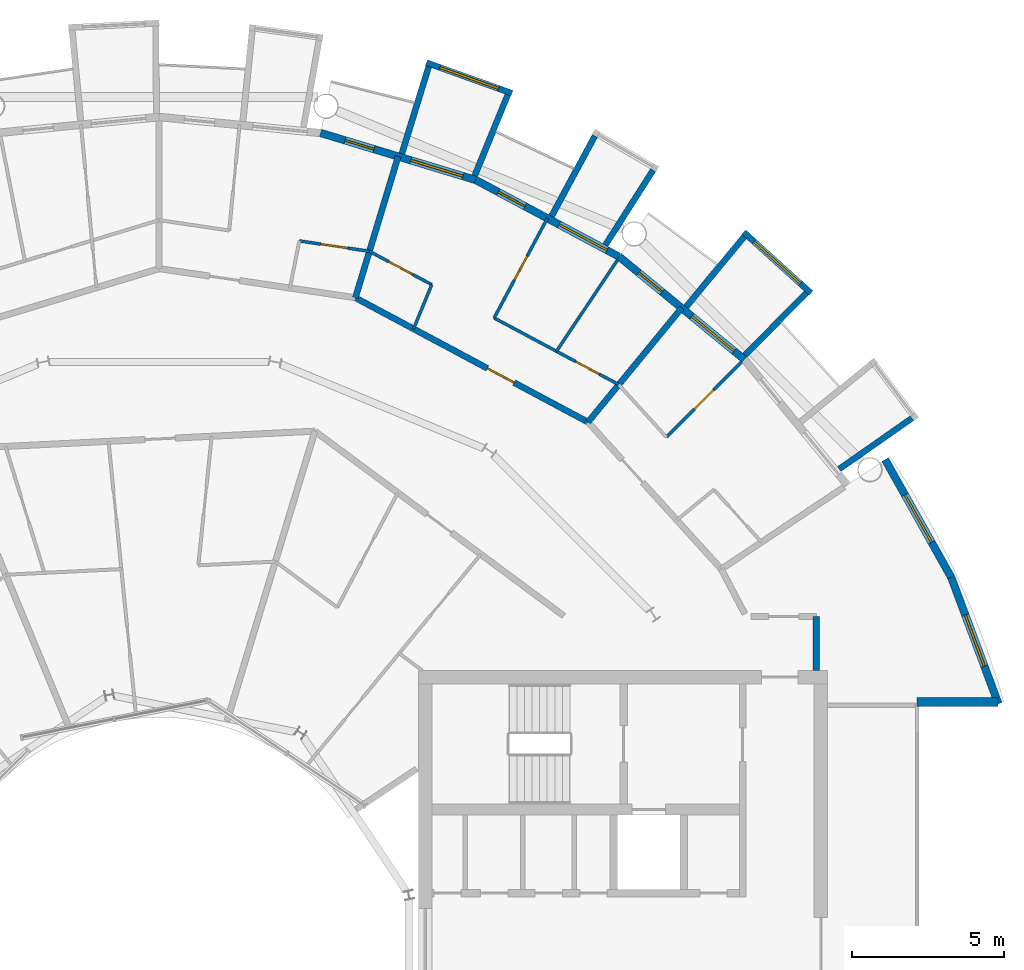
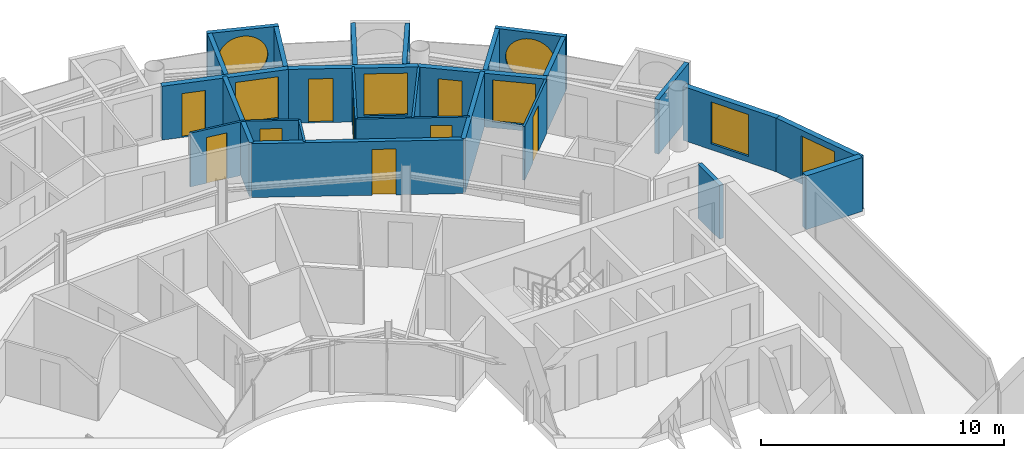
# One storey, part 24 of 29: 26 walls, 9 doors, 7 windows, 16 openings.
"""IFC4 building model written with IfcOpenShell, lengths in metres."""

from ifc_helpers import new_model, si_unit, direction, frame, frame_2d, origin, place, context, subcontext, project, spatial, rectangle, circle, extrude, material, layer, layer_set, type_object, element, fill, save


model = new_model("IFC4")

# Units and contexts
model_context = context("Model", 3, precision=1e-05, world=origin(), true_north=direction((0.0, 1.0)))
body_context = subcontext(model_context, "Body", "Model", "MODEL_VIEW")
ifc_project = project(units=[si_unit("LENGTHUNIT", "METRE"), si_unit("AREAUNIT", "SQUARE_METRE"), si_unit("VOLUMEUNIT", "CUBIC_METRE"), si_unit("PLANEANGLEUNIT", "RADIAN"), si_unit("MASSUNIT", "GRAM", prefix="KILO")], contexts=[model_context])

# Site, building, storey
site_placement = place(None, origin())
site = spatial("IfcSite", under=ifc_project, at=site_placement, CompositionType="ELEMENT")
building_placement = place(site_placement, origin())
building = spatial("IfcBuilding", under=site, at=building_placement, Name="Maasbend Ring Residences", CompositionType="ELEMENT")
storey_placement = place(building_placement, frame((0.0, 0.0, 205.449951171875)))
storey = spatial("IfcBuildingStorey", under=building, at=storey_placement, Name="L59", CompositionType="ELEMENT", Elevation=205.449951171875)

# Wall
ifc_material_1 = material(Name="Concrete C30/37", Category="concrete")
ifc_layer_1 = layer(ifc_material_1, 0.199951171875)
ifc_layer_set_1 = layer_set([ifc_layer_1], Name="Concrete C30/37")
wall_type_1 = type_object("IfcWallType", Name="CORRIDOR WALL 200 CONCRETE", PredefinedType="PARTITIONING", material=ifc_layer_set_1)
wall_1_placement = place(storey_placement, frame((21.675048828125, 9.050048828125, 0.0), z_axis=(0.0, 0.0, 1.0), x_axis=(0.0, 1.0, 0.0)))
element("IfcWall", 1, at=wall_1_placement, inside=storey, type_object=wall_type_1, Name="U-L59-w013", PredefinedType="PARTITIONING", context=body_context, shape_type="SweptSolid", body=[
    extrude(rectangle(XDim=1.77490234375, YDim=0.199951171875, at=frame_2d((0.887451171875, 0.0))), origin(), (0.0, 0.0, 1.0), 2.699951171875),
])

# Wall, opening, door
wall_2_placement = place(storey_placement, frame((6.472900390625, 21.340087890625, 0.0), z_axis=(0.0, 0.0, 1.0), x_axis=(0.881869539497, -0.471493494448, 0.0)))
wall_2 = element("IfcWall", 2, at=wall_2_placement, inside=storey, type_object=wall_type_1, Name="U-L59-w108", PredefinedType="PARTITIONING", context=body_context, shape_type="SweptSolid", body=[
    extrude(rectangle(XDim=8.704345703125, YDim=0.199951171875, at=frame_2d((4.35205078125, 0.0))), origin(), (0.0, 0.0, 1.0), 2.699951171875),
])
opening_1_placement = place(wall_2_placement, frame((4.93896484375, 0.0, 0.0)))
opening_1 = element("IfcOpeningElement", 3, at=opening_1_placement, cuts=wall_2, Name="Opening D-5904", PredefinedType="OPENING", context=body_context, shape_type="SweptSolid", body=[
    extrude(rectangle(XDim=1.0, YDim=2.300048828125, at=frame_2d((0.5, 1.14990234375))), frame((0.0, 0.10986328125, 0.0), z_axis=(0.0, -1.0, 0.0), x_axis=(1.0, 0.0, 0.0)), (0.0, 0.0, 1.0), 0.219970703125),
])
ifc_material_2 = material(Name="Timber, fire-rated, painted", Category="wood")
door_type_1 = type_object("IfcDoorType", Name="FLAT ENTRANCE DOOR 1000 X 2300 FIRE-RATED", OperationType="NOTDEFINED", PredefinedType="DOOR", material=ifc_material_2)
door_1_placement = place(opening_1_placement, origin())
door_1 = element("IfcDoor", 4, at=door_1_placement, inside=storey, type_object=door_type_1, Name="D-5904", OperationType="SINGLE_SWING_RIGHT", OverallHeight=2.300048828125, OverallWidth=1.0, PredefinedType="DOOR", context=body_context, shape_type="SweptSolid", body=[
    extrude(rectangle(XDim=1.0, YDim=2.300048828125, at=frame_2d((0.5, 1.14990234375))), frame((0.0, 0.02490234375, 0.0), z_axis=(0.0, -1.0, 0.0), x_axis=(1.0, 0.0, 0.0)), (0.0, 0.0, 1.0), 0.050048828125),
])
fill(opening_1, door_1)

# Wall
ifc_material_3 = material(Name="Pale anodised aluminium panel", Category="aluminium")
ifc_layer_2 = layer(ifc_material_3, 0.199951171875)
ifc_layer_set_2 = layer_set([ifc_layer_2], Name="EW-BOX")
wall_type_2 = type_object("IfcWallType", Name="EW-BOX", PredefinedType="SOLIDWALL", material=ifc_layer_set_2)
wall_3_placement = place(storey_placement, frame((22.43310546875, 15.68798828125, -0.030029296875), z_axis=(0.0, 0.0, 1.0), x_axis=(0.819373043115, 0.573260687834, 0.0)))
element("IfcWall", 5, at=wall_3_placement, inside=storey, type_object=wall_type_2, Name="Box side wall N01 left", PredefinedType="SOLIDWALL", context=body_context, shape_type="SweptSolid", body=[
    extrude(rectangle(XDim=2.92529296875, YDim=0.199951171875, at=frame_2d((1.462646484375, 0.0))), origin(), (0.0, 0.0, 1.0), 2.72998046875),
])

# Wall, opening, window
wall_4_placement = place(storey_placement, frame((21.5, 21.492919921875, -0.030029296875), z_axis=(0.0, 0.0, 1.0), x_axis=(-0.740998365753, 0.671506829416, 0.0)))
wall_4 = element("IfcWall", 6, at=wall_4_placement, inside=storey, type_object=wall_type_2, Name="Box front N03", PredefinedType="SOLIDWALL", context=body_context, shape_type="SweptSolid", body=[
    extrude(rectangle(XDim=2.9931640625, YDim=0.199951171875, at=frame_2d((1.49658203125, 0.0))), origin(), (0.0, 0.0, 1.0), 2.72998046875),
])
opening_2_placement = place(wall_4_placement, frame((0.45654296875, 0.0, 0.330078125)))
opening_2 = element("IfcOpeningElement", 7, at=opening_2_placement, cuts=wall_4, Name="Opening W-RD", PredefinedType="OPENING", context=body_context, shape_type="SweptSolid", body=[
    extrude(circle(Radius=1.0400390625, at=frame_2d((1.0400390625, 1.0400390625))), frame((0.0, 0.10986328125, 0.0), z_axis=(0.0, -1.0, 0.0), x_axis=(1.0, 0.0, 0.0)), (0.0, 0.0, 1.0), 0.219970703125),
])
ifc_material_4 = material(Name="Aluminium and clear glass", Category="aluminium")
window_type_1 = type_object("IfcWindowType", Name="W-RD", PartitioningType="SINGLE_PANEL", PredefinedType="WINDOW", material=ifc_material_4)
window_1_placement = place(opening_2_placement, origin())
window_1 = element("IfcWindow", 8, at=window_1_placement, inside=storey, type_object=window_type_1, Name="Round window N03", OverallHeight=2.080078125, OverallWidth=2.080078125, PartitioningType="SINGLE_PANEL", PredefinedType="WINDOW", context=body_context, shape_type="SweptSolid", body=[
    extrude(circle(Radius=1.0400390625, at=frame_2d((1.0400390625, 1.0400390625))), frame((0.0, 0.030029296875, 0.0), z_axis=(0.0, -1.0, 0.0), x_axis=(1.0, 0.0, 0.0)), (0.0, 0.0, 1.0), 0.06005859375),
])
fill(opening_2, window_1)

# Walls
wall_5_placement = place(storey_placement, frame((19.322998046875, 19.449951171875, -0.030029296875), z_axis=(0.0, 0.0, 1.0), x_axis=(0.704476739375, 0.709727076896, 0.0)))
element("IfcWall", 9, at=wall_5_placement, inside=storey, type_object=wall_type_2, Name="Box side wall N03 left", PredefinedType="SOLIDWALL", context=body_context, shape_type="SweptSolid", body=[
    extrude(rectangle(XDim=2.883056640625, YDim=0.199951171875, at=frame_2d((1.44140625, 0.0))), origin(), (0.0, 0.0, 1.0), 2.72998046875),
])
wall_6_placement = place(storey_placement, frame((17.384033203125, 21.041015625, -0.030029296875), z_axis=(0.0, 0.0, 1.0), x_axis=(0.63709551667, 0.770784861449, 0.0)))
element("IfcWall", 10, at=wall_6_placement, inside=storey, type_object=wall_type_2, Name="Box side wall N03 right", PredefinedType="SOLIDWALL", context=body_context, shape_type="SweptSolid", body=[
    extrude(rectangle(XDim=3.005859375, YDim=0.199951171875, at=frame_2d((1.5029296875, 0.0))), origin(), (0.0, 0.0, 1.0), 2.72998046875),
])
wall_7_placement = place(storey_placement, frame((14.721923828125, 23.0791015625, -0.030029296875), z_axis=(0.0, 0.0, 1.0), x_axis=(0.537572179146, 0.843217737129, 0.0)))
element("IfcWall", 11, at=wall_7_placement, inside=storey, type_object=wall_type_2, Name="Box side wall N05 left", PredefinedType="SOLIDWALL", context=body_context, shape_type="SweptSolid", body=[
    extrude(rectangle(XDim=2.92431640625, YDim=0.199951171875, at=frame_2d((1.462158203125, 0.0))), origin(), (0.0, 0.0, 1.0), 2.72998046875),
])
wall_8_placement = place(storey_placement, frame((12.945068359375, 24.029052734375, -0.030029296875), z_axis=(0.0, 0.0, 1.0), x_axis=(0.474424310775, 0.88029629861, 0.0)))
element("IfcWall", 12, at=wall_8_placement, inside=storey, type_object=wall_type_2, Name="Box side wall N05 right", PredefinedType="SOLIDWALL", context=body_context, shape_type="SweptSolid", body=[
    extrude(rectangle(XDim=3.005859375, YDim=0.199951171875, at=frame_2d((1.5029296875, 0.0))), origin(), (0.0, 0.0, 1.0), 2.72998046875),
])

# Wall, opening, window
wall_9_placement = place(storey_placement, frame((11.637939453125, 28.083984375, -0.030029296875), z_axis=(0.0, 0.0, 1.0), x_axis=(-0.941461077774, 0.337121697664, 0.0)))
wall_9 = element("IfcWall", 13, at=wall_9_placement, inside=storey, type_object=wall_type_2, Name="Box front N07", PredefinedType="SOLIDWALL", context=body_context, shape_type="SweptSolid", body=[
    extrude(rectangle(XDim=2.9931640625, YDim=0.199951171875, at=frame_2d((1.49658203125, 0.0))), origin(), (0.0, 0.0, 1.0), 2.72998046875),
])
opening_3_placement = place(wall_9_placement, frame((0.45654296875, 0.0, 0.330078125)))
opening_3 = element("IfcOpeningElement", 14, at=opening_3_placement, cuts=wall_9, Name="Opening W-RD", PredefinedType="OPENING", context=body_context, shape_type="SweptSolid", body=[
    extrude(circle(Radius=1.0400390625, at=frame_2d((1.0400390625, 1.0400390625))), frame((0.0, 0.10986328125, 0.0), z_axis=(0.0, -1.0, 0.0), x_axis=(1.0, 0.0, 0.0)), (0.0, 0.0, 1.0), 0.219970703125),
])
window_2_placement = place(opening_3_placement, origin())
window_2 = element("IfcWindow", 15, at=window_2_placement, inside=storey, type_object=window_type_1, Name="Round window N07", OverallHeight=2.080078125, OverallWidth=2.080078125, PartitioningType="SINGLE_PANEL", PredefinedType="WINDOW", context=body_context, shape_type="SweptSolid", body=[
    extrude(circle(Radius=1.0400390625, at=frame_2d((1.0400390625, 1.0400390625))), frame((0.0, 0.030029296875, 0.0), z_axis=(0.0, -1.0, 0.0), x_axis=(1.0, 0.0, 0.0)), (0.0, 0.0, 1.0), 0.06005859375),
])
fill(opening_3, window_2)

# Walls
wall_10_placement = place(storey_placement, frame((10.408935546875, 25.364013671875, -0.030029296875), z_axis=(0.0, 0.0, 1.0), x_axis=(0.379509886562, 0.925187681501, 0.0)))
element("IfcWall", 16, at=wall_10_placement, inside=storey, type_object=wall_type_2, Name="Box side wall N07 left", PredefinedType="SOLIDWALL", context=body_context, shape_type="SweptSolid", body=[
    extrude(rectangle(XDim=2.882568359375, YDim=0.199951171875, at=frame_2d((1.44140625, 0.0))), origin(), (0.0, 0.0, 1.0), 2.72998046875),
])
wall_11_placement = place(storey_placement, frame((8.009033203125, 26.092041015625, -0.030029296875), z_axis=(0.0, 0.0, 1.0), x_axis=(0.293406695073, 0.955987715029, 0.0)))
element("IfcWall", 17, at=wall_11_placement, inside=storey, type_object=wall_type_2, Name="Box side wall N07 right", PredefinedType="SOLIDWALL", context=body_context, shape_type="SweptSolid", body=[
    extrude(rectangle(XDim=3.00634765625, YDim=0.199951171875, at=frame_2d((1.503173828125, 0.0))), origin(), (0.0, 0.0, 1.0), 2.72998046875),
])

# Wall, openings, door, window
ifc_material_5 = material(Name="Aluminium clad insulated panel", Category="aluminium")
ifc_layer_3 = layer(ifc_material_5, 0.25)
ifc_layer_set_3 = layer_set([ifc_layer_3], Name="EW-GL")
wall_type_3 = type_object("IfcWallType", Name="EW-GL", PredefinedType="SOLIDWALL", material=ifc_layer_set_3)
wall_12_placement = place(storey_placement, frame((19.303955078125, 19.303955078125, 0.0), z_axis=(0.0, 0.0, 1.0), x_axis=(-0.773019449054, 0.634382322723, 0.0)))
wall_12 = element("IfcWall", 18, at=wall_12_placement, inside=storey, type_object=wall_type_3, Name="External wall N02", PredefinedType="SOLIDWALL", context=body_context, shape_type="SweptSolid", body=[
    extrude(rectangle(XDim=5.351806640625, YDim=0.25, at=frame_2d((2.67578125, 0.0))), origin(), (0.0, 0.0, 1.0), 2.699951171875),
])
opening_4_placement = place(wall_12_placement, frame((0.441162109375, 0.0, 0.300048828125)))
opening_4 = element("IfcOpeningElement", 19, at=opening_4_placement, cuts=wall_12, Name="Opening W-BX", PredefinedType="OPENING", context=body_context, shape_type="SweptSolid", body=[
    extrude(rectangle(XDim=1.800048828125, YDim=2.10009765625, at=frame_2d((0.89990234375, 1.050048828125))), frame((0.0, 0.135009765625, 0.0), z_axis=(0.0, -1.0, 0.0), x_axis=(1.0, 0.0, 0.0)), (0.0, 0.0, 1.0), 0.27001953125),
])
opening_5_placement = place(wall_12_placement, frame((3.510498046875, 0.0, 0.0)))
opening_5 = element("IfcOpeningElement", 20, at=opening_5_placement, cuts=wall_12, Name="Opening D-LG", PredefinedType="OPENING", context=body_context, shape_type="SweptSolid", body=[
    extrude(rectangle(XDim=1.0, YDim=2.199951171875, at=frame_2d((0.5, 1.10009765625))), frame((0.0, 0.135009765625, 0.0), z_axis=(0.0, -1.0, 0.0), x_axis=(1.0, 0.0, 0.0)), (0.0, 0.0, 1.0), 0.27001953125),
])
ifc_material_6 = material(Name="Aluminium and clear glass", Category="aluminium")
door_type_2 = type_object("IfcDoorType", Name="D-LG", OperationType="SINGLE_SWING_LEFT", PredefinedType="DOOR", material=ifc_material_6)
door_2_placement = place(opening_5_placement, origin())
door_2 = element("IfcDoor", 21, at=door_2_placement, inside=storey, type_object=door_type_2, Name="Loggia door N04", OperationType="SINGLE_SWING_LEFT", OverallHeight=2.199951171875, OverallWidth=1.0, PredefinedType="DOOR", context=body_context, shape_type="SweptSolid", body=[
    extrude(rectangle(XDim=1.0, YDim=2.199951171875, at=frame_2d((0.5, 1.10009765625))), frame((0.0, 0.02490234375, 0.0), z_axis=(0.0, -1.0, 0.0), x_axis=(1.0, 0.0, 0.0)), (0.0, 0.0, 1.0), 0.050048828125),
])
fill(opening_5, door_2)
ifc_material_7 = material(Name="Aluminium and clear glass", Category="aluminium")
window_type_2 = type_object("IfcWindowType", Name="W-BX", PartitioningType="DOUBLE_PANEL_VERTICAL", PredefinedType="WINDOW", material=ifc_material_7)
window_3_placement = place(opening_4_placement, origin())
window_3 = element("IfcWindow", 22, at=window_3_placement, inside=storey, type_object=window_type_2, Name="Window N03 room to box", OverallHeight=2.10009765625, OverallWidth=1.800048828125, PartitioningType="SINGLE_PANEL", PredefinedType="WINDOW", context=body_context, shape_type="SweptSolid", body=[
    extrude(rectangle(XDim=1.800048828125, YDim=2.10009765625, at=frame_2d((0.89990234375, 1.050048828125))), frame((0.0, 0.030029296875, 0.0), z_axis=(0.0, -1.0, 0.0), x_axis=(1.0, 0.0, 0.0)), (0.0, 0.0, 1.0), 0.06005859375),
])
fill(opening_4, window_3)

wall_13_placement = place(storey_placement, frame((15.1669921875, 22.698974609375, 0.0), z_axis=(0.0, 0.0, 1.0), x_axis=(-0.881915646801, 0.471407246368, 0.0)))
wall_13 = element("IfcWall", 23, at=wall_13_placement, inside=storey, type_object=wall_type_3, Name="External wall N03", PredefinedType="SOLIDWALL", context=body_context, shape_type="SweptSolid", body=[
    extrude(rectangle(XDim=5.35205078125, YDim=0.25, at=frame_2d((2.676025390625, 0.0))), origin(), (0.0, 0.0, 1.0), 2.699951171875),
])
opening_6_placement = place(wall_13_placement, frame((0.441162109375, 0.0, 0.300048828125)))
opening_6 = element("IfcOpeningElement", 24, at=opening_6_placement, cuts=wall_13, Name="Opening W-BX", PredefinedType="OPENING", context=body_context, shape_type="SweptSolid", body=[
    extrude(rectangle(XDim=1.800048828125, YDim=2.10009765625, at=frame_2d((0.89990234375, 1.050048828125))), frame((0.0, 0.135009765625, 0.0), z_axis=(0.0, -1.0, 0.0), x_axis=(1.0, 0.0, 0.0)), (0.0, 0.0, 1.0), 0.27001953125),
])
opening_7_placement = place(wall_13_placement, frame((3.510498046875, 0.0, 0.0)))
opening_7 = element("IfcOpeningElement", 25, at=opening_7_placement, cuts=wall_13, Name="Opening D-LG", PredefinedType="OPENING", context=body_context, shape_type="SweptSolid", body=[
    extrude(rectangle(XDim=1.0, YDim=2.199951171875, at=frame_2d((0.5, 1.10009765625))), frame((0.0, 0.135009765625, 0.0), z_axis=(0.0, -1.0, 0.0), x_axis=(1.0, 0.0, 0.0)), (0.0, 0.0, 1.0), 0.27001953125),
])
door_3_placement = place(opening_7_placement, origin())
door_3 = element("IfcDoor", 26, at=door_3_placement, inside=storey, type_object=door_type_2, Name="Loggia door N06", OperationType="SINGLE_SWING_LEFT", OverallHeight=2.199951171875, OverallWidth=1.0, PredefinedType="DOOR", context=body_context, shape_type="SweptSolid", body=[
    extrude(rectangle(XDim=1.0, YDim=2.199951171875, at=frame_2d((0.5, 1.10009765625))), frame((0.0, 0.02490234375, 0.0), z_axis=(0.0, -1.0, 0.0), x_axis=(1.0, 0.0, 0.0)), (0.0, 0.0, 1.0), 0.050048828125),
])
fill(opening_7, door_3)
window_4_placement = place(opening_6_placement, origin())
window_4 = element("IfcWindow", 27, at=window_4_placement, inside=storey, type_object=window_type_2, Name="Window N05 room to box", OverallHeight=2.10009765625, OverallWidth=1.800048828125, PartitioningType="SINGLE_PANEL", PredefinedType="WINDOW", context=body_context, shape_type="SweptSolid", body=[
    extrude(rectangle(XDim=1.800048828125, YDim=2.10009765625, at=frame_2d((0.89990234375, 1.050048828125))), frame((0.0, 0.030029296875, 0.0), z_axis=(0.0, -1.0, 0.0), x_axis=(1.0, 0.0, 0.0)), (0.0, 0.0, 1.0), 0.06005859375),
])
fill(opening_6, window_4)

wall_14_placement = place(storey_placement, frame((10.447021484375, 25.221923828125, 0.0), z_axis=(0.0, 0.0, 1.0), x_axis=(-0.956965678721, 0.290201119486, 0.0)))
wall_14 = element("IfcWall", 28, at=wall_14_placement, inside=storey, type_object=wall_type_3, Name="External wall N04", PredefinedType="SOLIDWALL", context=body_context, shape_type="SweptSolid", body=[
    extrude(rectangle(XDim=5.351318359375, YDim=0.25, at=frame_2d((2.67578125, 0.0))), origin(), (0.0, 0.0, 1.0), 2.699951171875),
])
opening_8_placement = place(wall_14_placement, frame((0.441162109375, 0.0, 0.300048828125)))
opening_8 = element("IfcOpeningElement", 29, at=opening_8_placement, cuts=wall_14, Name="Opening W-BX", PredefinedType="OPENING", context=body_context, shape_type="SweptSolid", body=[
    extrude(rectangle(XDim=1.800048828125, YDim=2.10009765625, at=frame_2d((0.89990234375, 1.050048828125))), frame((0.0, 0.135009765625, 0.0), z_axis=(0.0, -1.0, 0.0), x_axis=(1.0, 0.0, 0.0)), (0.0, 0.0, 1.0), 0.27001953125),
])
opening_9_placement = place(wall_14_placement, frame((3.510498046875, 0.0, 0.0)))
opening_9 = element("IfcOpeningElement", 30, at=opening_9_placement, cuts=wall_14, Name="Opening D-LG", PredefinedType="OPENING", context=body_context, shape_type="SweptSolid", body=[
    extrude(rectangle(XDim=1.0, YDim=2.199951171875, at=frame_2d((0.5, 1.10009765625))), frame((0.0, 0.135009765625, 0.0), z_axis=(0.0, -1.0, 0.0), x_axis=(1.0, 0.0, 0.0)), (0.0, 0.0, 1.0), 0.27001953125),
])
door_4_placement = place(opening_9_placement, origin())
door_4 = element("IfcDoor", 31, at=door_4_placement, inside=storey, type_object=door_type_2, Name="Loggia door N08", OperationType="SINGLE_SWING_LEFT", OverallHeight=2.199951171875, OverallWidth=1.0, PredefinedType="DOOR", context=body_context, shape_type="SweptSolid", body=[
    extrude(rectangle(XDim=1.0, YDim=2.199951171875, at=frame_2d((0.5, 1.10009765625))), frame((0.0, 0.02490234375, 0.0), z_axis=(0.0, -1.0, 0.0), x_axis=(1.0, 0.0, 0.0)), (0.0, 0.0, 1.0), 0.050048828125),
])
fill(opening_9, door_4)
window_5_placement = place(opening_8_placement, origin())
window_5 = element("IfcWindow", 32, at=window_5_placement, inside=storey, type_object=window_type_2, Name="Window N07 room to box", OverallHeight=2.10009765625, OverallWidth=1.800048828125, PartitioningType="SINGLE_PANEL", PredefinedType="WINDOW", context=body_context, shape_type="SweptSolid", body=[
    extrude(rectangle(XDim=1.800048828125, YDim=2.10009765625, at=frame_2d((0.89990234375, 1.050048828125))), frame((0.0, 0.030029296875, 0.0), z_axis=(0.0, -1.0, 0.0), x_axis=(1.0, 0.0, 0.0)), (0.0, 0.0, 1.0), 0.06005859375),
])
fill(opening_8, window_5)

# Wall, opening, window
ifc_material_8 = material(Name="Aluminium clad insulated panel", Category="aluminium")
ifc_layer_4 = layer(ifc_material_8, 0.25)
ifc_layer_set_4 = layer_set([ifc_layer_4], Name="EW-HORN")
wall_type_4 = type_object("IfcWallType", Name="EW-HORN", PredefinedType="SOLIDWALL", material=ifc_layer_set_4)
wall_15_placement = place(storey_placement, frame((27.681884765625, 7.945068359375, 0.0), z_axis=(0.0, 0.0, 1.0), x_axis=(-0.349247811493, 0.937030397675, 0.0)))
wall_15 = element("IfcWall", 33, at=wall_15_placement, inside=storey, type_object=wall_type_4, Name="Horn wall 1.1", PredefinedType="SOLIDWALL", context=body_context, shape_type="SweptSolid", body=[
    extrude(rectangle(XDim=4.4521484375, YDim=0.25, at=frame_2d((2.22607421875, 0.0))), origin(), (0.0, 0.0, 1.0), 2.699951171875),
])
opening_10_placement = place(wall_15_placement, frame((1.32666015625, 0.0, 0.300048828125)))
opening_10 = element("IfcOpeningElement", 34, at=opening_10_placement, cuts=wall_15, Name="Opening W-BX", PredefinedType="OPENING", context=body_context, shape_type="SweptSolid", body=[
    extrude(rectangle(XDim=1.800048828125, YDim=2.10009765625, at=frame_2d((0.89990234375, 1.050048828125))), frame((0.0, 0.135009765625, 0.0), z_axis=(0.0, -1.0, 0.0), x_axis=(1.0, 0.0, 0.0)), (0.0, 0.0, 1.0), 0.27001953125),
])
window_6_placement = place(opening_10_placement, origin())
window_6 = element("IfcWindow", 35, at=window_6_placement, inside=storey, type_object=window_type_2, Name="Horn window 1.1", OverallHeight=2.10009765625, OverallWidth=1.800048828125, PartitioningType="SINGLE_PANEL", PredefinedType="WINDOW", context=body_context, shape_type="SweptSolid", body=[
    extrude(rectangle(XDim=1.800048828125, YDim=2.10009765625, at=frame_2d((0.89990234375, 1.050048828125))), frame((0.0, 0.030029296875, 0.0), z_axis=(0.0, -1.0, 0.0), x_axis=(1.0, 0.0, 0.0)), (0.0, 0.0, 1.0), 0.06005859375),
])
fill(opening_10, window_6)

wall_16_placement = place(storey_placement, frame((26.126953125, 12.116943359375, 0.0), z_axis=(0.0, 0.0, 1.0), x_axis=(-0.489696356642, 0.871893042919, 0.0)))
wall_16 = element("IfcWall", 36, at=wall_16_placement, inside=storey, type_object=wall_type_4, Name="Horn wall 1.2", PredefinedType="SOLIDWALL", context=body_context, shape_type="SweptSolid", body=[
    extrude(rectangle(XDim=4.45361328125, YDim=0.25, at=frame_2d((2.226806640625, 0.0))), origin(), (0.0, 0.0, 1.0), 2.699951171875),
])
opening_11_placement = place(wall_16_placement, frame((1.32666015625, 0.0, 0.300048828125)))
opening_11 = element("IfcOpeningElement", 37, at=opening_11_placement, cuts=wall_16, Name="Opening W-BX", PredefinedType="OPENING", context=body_context, shape_type="SweptSolid", body=[
    extrude(rectangle(XDim=1.800048828125, YDim=2.10009765625, at=frame_2d((0.89990234375, 1.050048828125))), frame((0.0, 0.135009765625, 0.0), z_axis=(0.0, -1.0, 0.0), x_axis=(1.0, 0.0, 0.0)), (0.0, 0.0, 1.0), 0.27001953125),
])
window_7_placement = place(opening_11_placement, origin())
window_7 = element("IfcWindow", 38, at=window_7_placement, inside=storey, type_object=window_type_2, Name="Horn window 1.2", OverallHeight=2.10009765625, OverallWidth=1.800048828125, PartitioningType="SINGLE_PANEL", PredefinedType="WINDOW", context=body_context, shape_type="SweptSolid", body=[
    extrude(rectangle(XDim=1.800048828125, YDim=2.10009765625, at=frame_2d((0.89990234375, 1.050048828125))), frame((0.0, 0.030029296875, 0.0), z_axis=(0.0, -1.0, 0.0), x_axis=(1.0, 0.0, 0.0)), (0.0, 0.0, 1.0), 0.06005859375),
])
fill(opening_11, window_7)

# Walls
ifc_material_9 = material(Name="Aluminium clad insulated panel", Category="aluminium")
ifc_layer_5 = layer(ifc_material_9, 0.300048828125)
ifc_layer_set_5 = layer_set([ifc_layer_5], Name="EW-RET")
wall_type_5 = type_object("IfcWallType", Name="EW-RET", PredefinedType="SOLIDWALL", material=ifc_layer_set_5)
wall_17_placement = place(storey_placement, frame((25.0, 8.0, 0.0), z_axis=(0.0, 0.0, 1.0), x_axis=(1.0, 0.0, 0.0)))
element("IfcWall", 39, at=wall_17_placement, inside=storey, type_object=wall_type_5, Name="Notch return wall east north", PredefinedType="SOLIDWALL", context=body_context, shape_type="SweptSolid", body=[
    extrude(rectangle(XDim=2.6669921875, YDim=0.300048828125, at=frame_2d((1.33349609375, 0.0))), origin(), (0.0, 0.0, 1.0), 2.699951171875),
])
ifc_material_10 = material(Name="Gypsum board on steel studs", Category="steel")
ifc_layer_6 = layer(ifc_material_10, 0.10009765625)
ifc_layer_set_6 = layer_set([ifc_layer_6], Name="PARTITION 100 GYPSUM")
wall_type_6 = type_object("IfcWallType", Name="PARTITION 100 GYPSUM", PredefinedType="PARTITIONING", material=ifc_layer_set_6)
wall_18_placement = place(storey_placement, frame((8.39208984375, 20.31396484375, 0.0), z_axis=(0.0, 0.0, 1.0), x_axis=(0.381535938362, 0.924354005638, 0.0)))
element("IfcWall", 40, at=wall_18_placement, inside=storey, type_object=wall_type_6, Name="U-L59-w076", PredefinedType="PARTITIONING", context=body_context, shape_type="SweptSolid", body=[
    extrude(rectangle(XDim=1.577392578125, YDim=0.10009765625, at=frame_2d((0.78857421875, 0.0))), origin(), (0.0, 0.0, 1.0), 2.699951171875),
])

# Wall, opening, door
wall_19_placement = place(storey_placement, frame((11.050048828125, 20.673095703125, 0.0), z_axis=(0.0, 0.0, 1.0), x_axis=(0.471372010014, 0.881934480659, 0.0)))
wall_19 = element("IfcWall", 41, at=wall_19_placement, inside=storey, type_object=wall_type_6, Name="U-L59-w080", PredefinedType="PARTITIONING", context=body_context, shape_type="SweptSolid", body=[
    extrude(rectangle(XDim=3.73388671875, YDim=0.10009765625, at=frame_2d((1.866943359375, 0.0))), origin(), (0.0, 0.0, 1.0), 2.699951171875),
])
opening_12_placement = place(wall_19_placement, frame((1.4169921875, 0.0, 0.0)))
opening_12 = element("IfcOpeningElement", 42, at=opening_12_placement, cuts=wall_19, Name="Opening D-5906", PredefinedType="OPENING", context=body_context, shape_type="SweptSolid", body=[
    extrude(rectangle(XDim=0.89990234375, YDim=2.300048828125, at=frame_2d((0.449951171875, 1.14990234375))), frame((0.0, 0.06005859375, 0.0), z_axis=(0.0, -1.0, 0.0), x_axis=(1.0, 0.0, 0.0)), (0.0, 0.0, 1.0), 0.1201171875),
])
ifc_material_11 = material(Name="Timber, painted", Category="wood")
door_type_3 = type_object("IfcDoorType", Name="INTERNAL DOOR 900 X 2300", OperationType="NOTDEFINED", PredefinedType="DOOR", material=ifc_material_11)
door_5_placement = place(opening_12_placement, origin())
door_5 = element("IfcDoor", 43, at=door_5_placement, inside=storey, type_object=door_type_3, Name="D-5906", OperationType="SINGLE_SWING_LEFT", OverallHeight=2.300048828125, OverallWidth=0.89990234375, PredefinedType="DOOR", context=body_context, shape_type="SweptSolid", body=[
    extrude(rectangle(XDim=0.89990234375, YDim=2.300048828125, at=frame_2d((0.449951171875, 1.14990234375))), frame((0.0, 0.02490234375, 0.0), z_axis=(0.0, -1.0, 0.0), x_axis=(1.0, 0.0, 0.0)), (0.0, 0.0, 1.0), 0.050048828125),
])
fill(opening_12, door_5)

# Wall
wall_20_placement = place(storey_placement, frame((13.10595703125, 19.573974609375, 0.0), z_axis=(0.0, 0.0, 1.0), x_axis=(0.556271723484, 0.831000463088, 0.0)))
element("IfcWall", 44, at=wall_20_placement, inside=storey, type_object=wall_type_6, Name="U-L59-w081", PredefinedType="PARTITIONING", context=body_context, shape_type="SweptSolid", body=[
    extrude(rectangle(XDim=3.61865234375, YDim=0.10009765625, at=frame_2d((1.809326171875, 0.0))), origin(), (0.0, 0.0, 1.0), 2.699951171875),
])

# Wall, opening, door
wall_21_placement = place(storey_placement, frame((16.73193359375, 16.742919921875, 0.0), z_axis=(0.0, 0.0, 1.0), x_axis=(0.706967463531, 0.707246071398, 0.0)))
wall_21 = element("IfcWall", 45, at=wall_21_placement, inside=storey, type_object=wall_type_6, Name="U-L59-w085", PredefinedType="PARTITIONING", context=body_context, shape_type="SweptSolid", body=[
    extrude(rectangle(XDim=3.505126953125, YDim=0.10009765625, at=frame_2d((1.75244140625, 0.0))), origin(), (0.0, 0.0, 1.0), 2.699951171875),
])
opening_13_placement = place(wall_21_placement, frame((1.302978515625, 0.0, 0.0)))
opening_13 = element("IfcOpeningElement", 46, at=opening_13_placement, cuts=wall_21, Name="Opening D-5903", PredefinedType="OPENING", context=body_context, shape_type="SweptSolid", body=[
    extrude(rectangle(XDim=0.89990234375, YDim=2.300048828125, at=frame_2d((0.449951171875, 1.14990234375))), frame((0.0, 0.06005859375, 0.0), z_axis=(0.0, -1.0, 0.0), x_axis=(1.0, 0.0, 0.0)), (0.0, 0.0, 1.0), 0.1201171875),
])
door_6_placement = place(opening_13_placement, origin())
door_6 = element("IfcDoor", 47, at=door_6_placement, inside=storey, type_object=door_type_3, Name="D-5903", OperationType="SINGLE_SWING_RIGHT", OverallHeight=2.300048828125, OverallWidth=0.89990234375, PredefinedType="DOOR", context=body_context, shape_type="SweptSolid", body=[
    extrude(rectangle(XDim=0.89990234375, YDim=2.300048828125, at=frame_2d((0.449951171875, 1.14990234375))), frame((0.0, 0.02490234375, 0.0), z_axis=(0.0, -1.0, 0.0), x_axis=(1.0, 0.0, 0.0)), (0.0, 0.0, 1.0), 0.050048828125),
])
fill(opening_13, door_6)

wall_22_placement = place(storey_placement, frame((6.93798828125, 22.87109375, 0.0), z_axis=(0.0, 0.0, 1.0), x_axis=(0.881882873346, -0.471468554305, 0.0)))
wall_22 = element("IfcWall", 48, at=wall_22_placement, inside=storey, type_object=wall_type_6, Name="U-L59-w117", PredefinedType="PARTITIONING", context=body_context, shape_type="SweptSolid", body=[
    extrude(rectangle(XDim=2.331298828125, YDim=0.10009765625, at=frame_2d((1.16552734375, 0.0))), origin(), (0.0, 0.0, 1.0), 2.699951171875),
])
opening_14_placement = place(wall_22_placement, frame((0.716064453125, 0.0, 0.0)))
opening_14 = element("IfcOpeningElement", 49, at=opening_14_placement, cuts=wall_22, Name="Opening D-5905", PredefinedType="OPENING", context=body_context, shape_type="SweptSolid", body=[
    extrude(rectangle(XDim=0.89990234375, YDim=2.300048828125, at=frame_2d((0.449951171875, 1.14990234375))), frame((0.0, 0.06005859375, 0.0), z_axis=(0.0, -1.0, 0.0), x_axis=(1.0, 0.0, 0.0)), (0.0, 0.0, 1.0), 0.1201171875),
])
door_7_placement = place(opening_14_placement, origin())
door_7 = element("IfcDoor", 50, at=door_7_placement, inside=storey, type_object=door_type_3, Name="D-5905", OperationType="SINGLE_SWING_RIGHT", OverallHeight=2.300048828125, OverallWidth=0.89990234375, PredefinedType="DOOR", context=body_context, shape_type="SweptSolid", body=[
    extrude(rectangle(XDim=0.89990234375, YDim=2.300048828125, at=frame_2d((0.449951171875, 1.14990234375))), frame((0.0, 0.02490234375, 0.0), z_axis=(0.0, -1.0, 0.0), x_axis=(1.0, 0.0, 0.0)), (0.0, 0.0, 1.0), 0.050048828125),
])
fill(opening_14, door_7)

wall_23_placement = place(storey_placement, frame((11.050048828125, 20.673095703125, 0.0), z_axis=(0.0, 0.0, 1.0), x_axis=(0.881916280728, -0.471406060405, 0.0)))
wall_23 = element("IfcWall", 51, at=wall_23_placement, inside=storey, type_object=wall_type_6, Name="U-L59-w118", PredefinedType="PARTITIONING", context=body_context, shape_type="SweptSolid", body=[
    extrude(rectangle(XDim=4.66259765625, YDim=0.10009765625, at=frame_2d((2.331298828125, 0.0))), origin(), (0.0, 0.0, 1.0), 2.699951171875),
])
opening_15_placement = place(wall_23_placement, frame((3.047119140625, 0.0, 0.0)))
opening_15 = element("IfcOpeningElement", 52, at=opening_15_placement, cuts=wall_23, Name="Opening D-5907", PredefinedType="OPENING", context=body_context, shape_type="SweptSolid", body=[
    extrude(rectangle(XDim=0.89990234375, YDim=2.300048828125, at=frame_2d((0.449951171875, 1.14990234375))), frame((0.0, 0.06005859375, 0.0), z_axis=(0.0, -1.0, 0.0), x_axis=(1.0, 0.0, 0.0)), (0.0, 0.0, 1.0), 0.1201171875),
])
door_8_placement = place(opening_15_placement, origin())
door_8 = element("IfcDoor", 53, at=door_8_placement, inside=storey, type_object=door_type_3, Name="D-5907", OperationType="SINGLE_SWING_RIGHT", OverallHeight=2.300048828125, OverallWidth=0.89990234375, PredefinedType="DOOR", context=body_context, shape_type="SweptSolid", body=[
    extrude(rectangle(XDim=0.89990234375, YDim=2.300048828125, at=frame_2d((0.449951171875, 1.14990234375))), frame((0.0, 0.02490234375, 0.0), z_axis=(0.0, -1.0, 0.0), x_axis=(1.0, 0.0, 0.0)), (0.0, 0.0, 1.0), 0.050048828125),
])
fill(opening_15, door_8)

wall_24_placement = place(storey_placement, frame((4.625, 23.214111328125, 0.0), z_axis=(0.0, 0.0, 1.0), x_axis=(0.989181588285, -0.146696235121, 0.0)))
wall_24 = element("IfcWall", 54, at=wall_24_placement, inside=storey, type_object=wall_type_6, Name="U-L59-w120", PredefinedType="PARTITIONING", context=body_context, shape_type="SweptSolid", body=[
    extrude(rectangle(XDim=2.33837890625, YDim=0.10009765625, at=frame_2d((1.169189453125, 0.0))), origin(), (0.0, 0.0, 1.0), 2.699951171875),
])
opening_16_placement = place(wall_24_placement, frame((0.718994140625, 0.0, 0.0)))
opening_16 = element("IfcOpeningElement", 55, at=opening_16_placement, cuts=wall_24, Name="Opening D-5909", PredefinedType="OPENING", context=body_context, shape_type="SweptSolid", body=[
    extrude(rectangle(XDim=0.89990234375, YDim=2.300048828125, at=frame_2d((0.449951171875, 1.14990234375))), frame((0.0, 0.06005859375, 0.0), z_axis=(0.0, -1.0, 0.0), x_axis=(1.0, 0.0, 0.0)), (0.0, 0.0, 1.0), 0.1201171875),
])
door_9_placement = place(opening_16_placement, origin())
door_9 = element("IfcDoor", 56, at=door_9_placement, inside=storey, type_object=door_type_3, Name="D-5909", OperationType="SINGLE_SWING_RIGHT", OverallHeight=2.300048828125, OverallWidth=0.89990234375, PredefinedType="DOOR", context=body_context, shape_type="SweptSolid", body=[
    extrude(rectangle(XDim=0.89990234375, YDim=2.300048828125, at=frame_2d((0.449951171875, 1.14990234375))), frame((0.0, 0.02490234375, 0.0), z_axis=(0.0, -1.0, 0.0), x_axis=(1.0, 0.0, 0.0)), (0.0, 0.0, 1.0), 0.050048828125),
])
fill(opening_16, door_9)

# Walls
ifc_material_12 = material(Name="Concrete C30/37", Category="concrete")
ifc_layer_7 = layer(ifc_material_12, 0.199951171875)
ifc_layer_set_7 = layer_set([ifc_layer_7], Name="Concrete C30/37")
wall_type_7 = type_object("IfcWallType", Name="PARTY WALL 200 CONCRETE", PredefinedType="PARTITIONING", material=ifc_layer_set_7)
wall_25_placement = place(storey_placement, frame((6.47412109375, 21.340087890625, 0.0), z_axis=(0.0, 0.0, 1.0), x_axis=(0.290053269332, 0.957010502006, 0.0)))
element("IfcWall", 57, at=wall_25_placement, inside=storey, type_object=wall_type_7, Name="U-L59-w074", PredefinedType="PARTITIONING", context=body_context, shape_type="SweptSolid", body=[
    extrude(rectangle(XDim=4.874267578125, YDim=0.199951171875, at=frame_2d((2.43701171875, 0.0))), origin(), (0.0, 0.0, 1.0), 2.699951171875),
])
wall_26_placement = place(storey_placement, frame((14.14697265625, 17.238037109375, 0.0), z_axis=(0.0, 0.0, 1.0), x_axis=(0.634374159378, 0.773026148273, 0.0)))
element("IfcWall", 58, at=wall_26_placement, inside=storey, type_object=wall_type_7, Name="U-L59-w082", PredefinedType="PARTITIONING", context=body_context, shape_type="SweptSolid", body=[
    extrude(rectangle(XDim=4.875732421875, YDim=0.199951171875, at=frame_2d((2.43798828125, 0.0))), origin(), (0.0, 0.0, 1.0), 2.699951171875),
])

save(model, "model.ifc")
